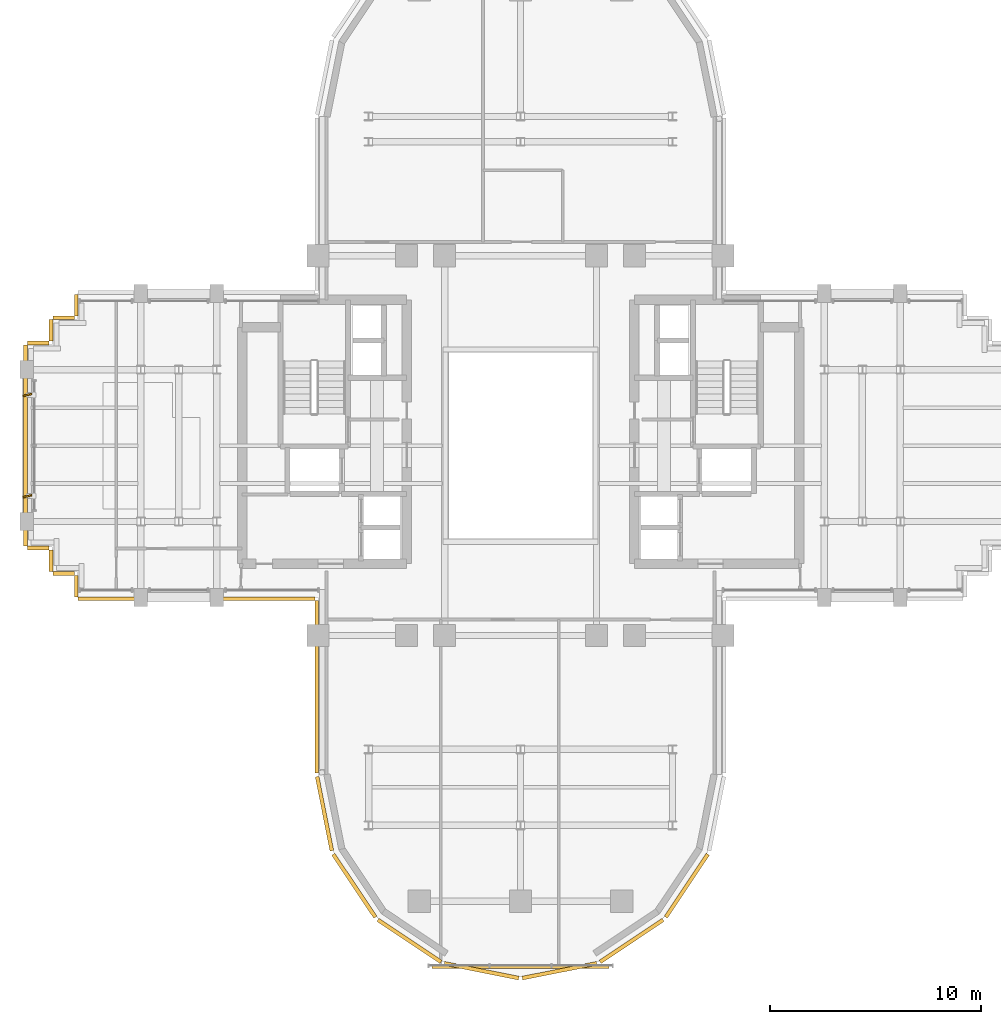
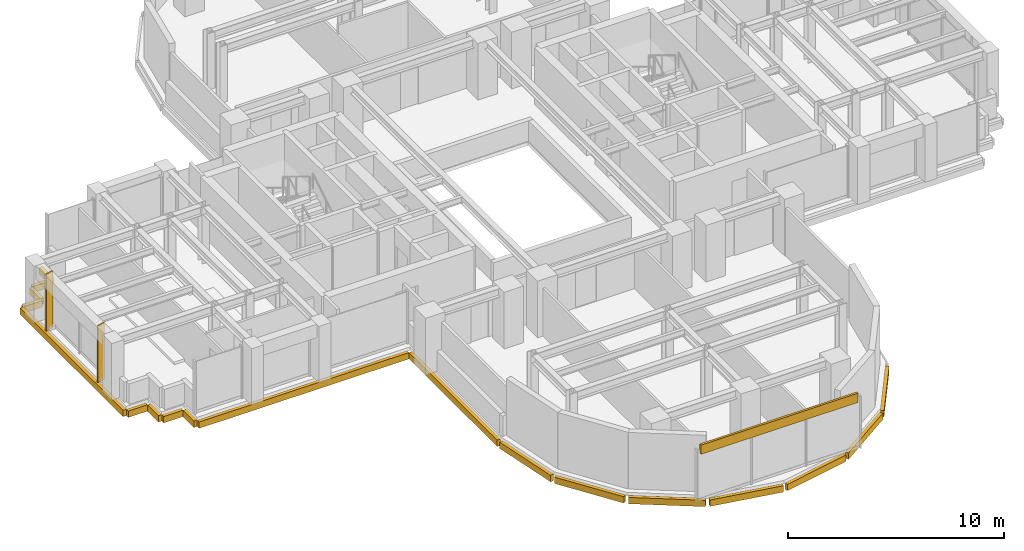
# One storey, part 11 of 13: 19 coverings, 2 shading devices.
"""IFC4 building model written with IfcOpenShell, lengths in metres."""

from ifc_helpers import new_model, si_unit, direction, frame, origin, origin_2d, place, context, subcontext, project, spatial, rectangle, extrude, source, transform, mapped, material, layer, layer_set, type_object, element, save


model = new_model("IFC4")

# Units and contexts
model_context = context("Model", 3, precision=1e-05, world=origin(), true_north=direction((0.0, 1.0)))
body_context = subcontext(model_context, "Body", "Model", "MODEL_VIEW")
ifc_project = project(units=[si_unit("LENGTHUNIT", "METRE"), si_unit("AREAUNIT", "SQUARE_METRE"), si_unit("VOLUMEUNIT", "CUBIC_METRE"), si_unit("PLANEANGLEUNIT", "RADIAN"), si_unit("MASSUNIT", "GRAM", prefix="KILO")], contexts=[model_context])

# Site, building, storey
site_placement = place(None, origin())
site = spatial("IfcSite", under=ifc_project, at=site_placement, CompositionType="ELEMENT")
building_placement = place(site_placement, origin())
building = spatial("IfcBuilding", under=site, at=building_placement, Name="Keilestroom Media Tower", CompositionType="ELEMENT")
storey_placement = place(building_placement, frame((0.0, 0.0, 141.39990234375)))
storey = spatial("IfcBuildingStorey", under=building, at=storey_placement, Name="L38", CompositionType="ELEMENT", Elevation=141.39990234375)

# Covering
ifc_material_1 = material(Name="Precast concrete C40/50", Category="concrete")
ifc_layer = layer(ifc_material_1, 0.1201171875)
ifc_layer_set = layer_set([ifc_layer], Name="Precast concrete C40/50")
covering_type = type_object("IfcCoveringType", Name="Exterior-Precast-Spandrel-Cladding-Panel-120", PredefinedType="CLADDING", material=ifc_layer_set)
shared_shape_1 = source(origin(), body_context, "Body", "SweptSolid", [
    extrude(rectangle(XDim=8.39990234375, YDim=0.1201171875, at=origin_2d()), origin(), (0.0, 0.0, 1.0), 0.52001953125),
])
covering_1_placement = place(storey_placement, frame((0.0, -24.719970703125, 2.690185546875), z_axis=(0.0, 0.0, 1.0), x_axis=(1.0, 0.0, 0.0)))
element("IfcCovering", 1, at=covering_1_placement, inside=storey, type_object=covering_type, Name="L38 Precast Spandrel Cladding S", PredefinedType="CLADDING", context=body_context, shape_type="MappedRepresentation", body=[
    mapped(shared_shape_1, transform((0.0, 0.0, 0.0), x_axis=(1.0, 0.0, 0.0), y_axis=(0.0, 1.0, 0.0), z_axis=(0.0, 0.0, 1.0), scale=1.0)),
])

# Shading devices
ifc_material_2 = material(Name="Bronze Anodised Aluminium", Category="aluminium")
shading_device_type = type_object("IfcShadingDeviceType", Name="Facade-Vertical-Sunshade-Fin-SHD-1", PredefinedType="USERDEFINED", material=ifc_material_2)
shared_shape_2 = source(origin(), body_context, "Body", "SweptSolid", [
    extrude(rectangle(XDim=0.419921875, YDim=0.080078125, at=origin_2d()), origin(), (0.0, 0.0, 1.0), 3.199951171875),
])
for number, where, z_axis, x_axis, name in (
    (2, (-23.3701171875, -2.39990234375, 0.0), (0.0, 0.0, 1.0), (0.970422263272, 0.241413816807, 0.0), "L38 Twisting Sunshade Fin SHD-1 049"),
    (3, (-23.3701171875, 2.39990234375, 0.0), (0.0, 0.0, 1.0), (0.970422263272, 0.241413816807, 0.0), "L38 Twisting Sunshade Fin SHD-1 050"),
):
    element("IfcShadingDevice", number, at=place(storey_placement, frame(where, z_axis=z_axis, x_axis=x_axis)), inside=storey, type_object=shading_device_type, Name=name, ObjectType="SUNSHADE", PredefinedType="USERDEFINED", context=body_context, shape_type="MappedRepresentation", body=[
        mapped(shared_shape_2, transform((0.0, 0.0, 0.0), x_axis=(1.0, 0.0, 0.0), y_axis=(0.0, 1.0, 0.0), z_axis=(0.0, 0.0, 1.0), scale=1.0)),
    ])

# Coverings
shared_shape_3 = source(origin(), body_context, "Body", "SweptSolid", [
    extrude(rectangle(XDim=1.02001953125, YDim=0.179931640625, at=origin_2d()), origin(), (0.0, 0.0, 1.0), 0.360107421875),
])
for number, where, z_axis, x_axis, name in (
    (4, (-21.06005859375, -6.659912109375, -0.5400390625), (0.0, 0.0, 1.0), (0.0, 1.0, 0.0), "L38 Precast Slab-Edge Fascia Cornice 17"),
    (5, (-21.659912109375, -6.06005859375, -0.5400390625), (0.0, 0.0, 1.0), (-1.0, 0.0, 0.0), "L38 Precast Slab-Edge Fascia Cornice 18"),
    (6, (-22.260009765625, -5.4599609375, -0.5400390625), (0.0, 0.0, 1.0), (0.0, 1.0, 0.0), "L38 Precast Slab-Edge Fascia Cornice 19"),
    (7, (-22.860107421875, -4.860107421875, -0.5400390625), (0.0, 0.0, 1.0), (-1.0, 0.0, 0.0), "L38 Precast Slab-Edge Fascia Cornice 20"),
    (8, (-22.860107421875, 4.860107421875, -0.5400390625), (0.0, 0.0, 1.0), (1.0, 0.0, 0.0), "L38 Precast Slab-Edge Fascia Cornice 22"),
    (9, (-22.260009765625, 5.4599609375, -0.5400390625), (0.0, 0.0, 1.0), (0.0, 1.0, 0.0), "L38 Precast Slab-Edge Fascia Cornice 23"),
    (10, (-21.659912109375, 6.06005859375, -0.5400390625), (0.0, 0.0, 1.0), (1.0, 0.0, 0.0), "L38 Precast Slab-Edge Fascia Cornice 24"),
    (11, (-21.06005859375, 6.659912109375, -0.5400390625), (0.0, 0.0, 1.0), (0.0, 1.0, 0.0), "L38 Precast Slab-Edge Fascia Cornice 25"),
):
    element("IfcCovering", number, at=place(storey_placement, frame(where, z_axis=z_axis, x_axis=x_axis)), inside=storey, type_object=covering_type, Name=name, PredefinedType="CLADDING", context=body_context, shape_type="MappedRepresentation", body=[
        mapped(shared_shape_3, transform((0.0, 0.0, 0.0), x_axis=(1.0, 0.0, 0.0), y_axis=(0.0, 1.0, 0.0), z_axis=(0.0, 0.0, 1.0), scale=1.0)),
    ])
shared_shape_4 = source(origin(), body_context, "Body", "SweptSolid", [
    extrude(rectangle(XDim=8.166015625, YDim=0.179931640625, at=origin_2d()), origin(), (0.0, 0.0, 1.0), 0.360107421875),
])
covering_2_placement = place(storey_placement, frame((-9.659912109375, -11.43310546875, -0.5400390625), z_axis=(0.0, 0.0, 1.0), x_axis=(0.0, 1.0, 0.0)))
element("IfcCovering", 12, at=covering_2_placement, inside=storey, type_object=covering_type, Name="L38 Precast Slab-Edge Fascia Cornice 15", PredefinedType="CLADDING", context=body_context, shape_type="MappedRepresentation", body=[
    mapped(shared_shape_4, transform((0.0, 0.0, 0.0), x_axis=(1.0, 0.0, 0.0), y_axis=(0.0, 1.0, 0.0), z_axis=(0.0, 0.0, 1.0), scale=1.0)),
])
shared_shape_5 = source(origin(), body_context, "Body", "SweptSolid", [
    extrude(rectangle(XDim=3.58349609375, YDim=0.179931640625, at=origin_2d()), origin(), (0.0, 0.0, 1.0), 0.360107421875),
])
covering_3_placement = place(storey_placement, frame((-9.29296875, -17.45166015625, -0.5400390625), z_axis=(0.0, 0.0, 1.0), x_axis=(-0.195098880975, 0.980783577882, 0.0)))
element("IfcCovering", 13, at=covering_3_placement, inside=storey, type_object=covering_type, Name="L38 Precast Slab-Edge Fascia Cornice 14", PredefinedType="CLADDING", context=body_context, shape_type="MappedRepresentation", body=[
    mapped(shared_shape_5, transform((0.0, 0.0, 0.0), x_axis=(1.0, 0.0, 0.0), y_axis=(0.0, 1.0, 0.0), z_axis=(0.0, 0.0, 1.0), scale=1.0)),
])
shared_shape_6 = source(origin(), body_context, "Body", "SweptSolid", [
    extrude(rectangle(XDim=3.589599609375, YDim=0.179931640625, at=origin_2d()), origin(), (0.0, 0.0, 1.0), 0.360107421875),
])
for number, where, z_axis, x_axis, name in (
    (14, (7.878662109375, -20.8642578125, -0.5400390625), (0.0, 0.0, 1.0), (-0.555574586577, -0.831466703332, 0.0), "L38 Precast Slab-Edge Fascia Cornice 08"),
    (15, (5.264404296875, -23.478515625, -0.5400390625), (0.0, 0.0, 1.0), (-0.831466703332, -0.555574586577, 0.0), "L38 Precast Slab-Edge Fascia Cornice 09"),
    (16, (1.8486328125, -24.893310546875, -0.5400390625), (0.0, 0.0, 1.0), (-0.980783577882, -0.195098880975, 0.0), "L38 Precast Slab-Edge Fascia Cornice 10"),
    (17, (-1.8486328125, -24.893310546875, -0.5400390625), (0.0, 0.0, 1.0), (-0.980783577882, 0.195098880975, 0.0), "L38 Precast Slab-Edge Fascia Cornice 11"),
    (18, (-5.264404296875, -23.478515625, -0.5400390625), (0.0, 0.0, 1.0), (-0.831466703332, 0.555574586577, 0.0), "L38 Precast Slab-Edge Fascia Cornice 12"),
    (19, (-7.878662109375, -20.8642578125, -0.5400390625), (0.0, 0.0, 1.0), (-0.555574586577, 0.831466703332, 0.0), "L38 Precast Slab-Edge Fascia Cornice 13"),
):
    element("IfcCovering", number, at=place(storey_placement, frame(where, z_axis=z_axis, x_axis=x_axis)), inside=storey, type_object=covering_type, Name=name, PredefinedType="CLADDING", context=body_context, shape_type="MappedRepresentation", body=[
        mapped(shared_shape_6, transform((0.0, 0.0, 0.0), x_axis=(1.0, 0.0, 0.0), y_axis=(0.0, 1.0, 0.0), z_axis=(0.0, 0.0, 1.0), scale=1.0)),
    ])
shared_shape_7 = source(origin(), body_context, "Body", "SweptSolid", [
    extrude(rectangle(XDim=9.5400390625, YDim=0.179931640625, at=origin_2d()), origin(), (0.0, 0.0, 1.0), 0.360107421875),
])
covering_4_placement = place(storey_placement, frame((-23.4599609375, 0.0, -0.5400390625), z_axis=(0.0, 0.0, 1.0), x_axis=(0.0, 1.0, 0.0)))
element("IfcCovering", 20, at=covering_4_placement, inside=storey, type_object=covering_type, Name="L38 Precast Slab-Edge Fascia Cornice 21", PredefinedType="CLADDING", context=body_context, shape_type="MappedRepresentation", body=[
    mapped(shared_shape_7, transform((0.0, 0.0, 0.0), x_axis=(1.0, 0.0, 0.0), y_axis=(0.0, 1.0, 0.0), z_axis=(0.0, 0.0, 1.0), scale=1.0)),
])
shared_shape_8 = source(origin(), body_context, "Body", "SweptSolid", [
    extrude(rectangle(XDim=11.219970703125, YDim=0.179931640625, at=origin_2d()), origin(), (0.0, 0.0, 1.0), 0.360107421875),
])
covering_5_placement = place(storey_placement, frame((-15.360107421875, -7.260009765625, -0.5400390625), z_axis=(0.0, 0.0, 1.0), x_axis=(-1.0, 0.0, 0.0)))
element("IfcCovering", 21, at=covering_5_placement, inside=storey, type_object=covering_type, Name="L38 Precast Slab-Edge Fascia Cornice 16", PredefinedType="CLADDING", context=body_context, shape_type="MappedRepresentation", body=[
    mapped(shared_shape_8, transform((0.0, 0.0, 0.0), x_axis=(1.0, 0.0, 0.0), y_axis=(0.0, 1.0, 0.0), z_axis=(0.0, 0.0, 1.0), scale=1.0)),
])

save(model, "model.ifc")
